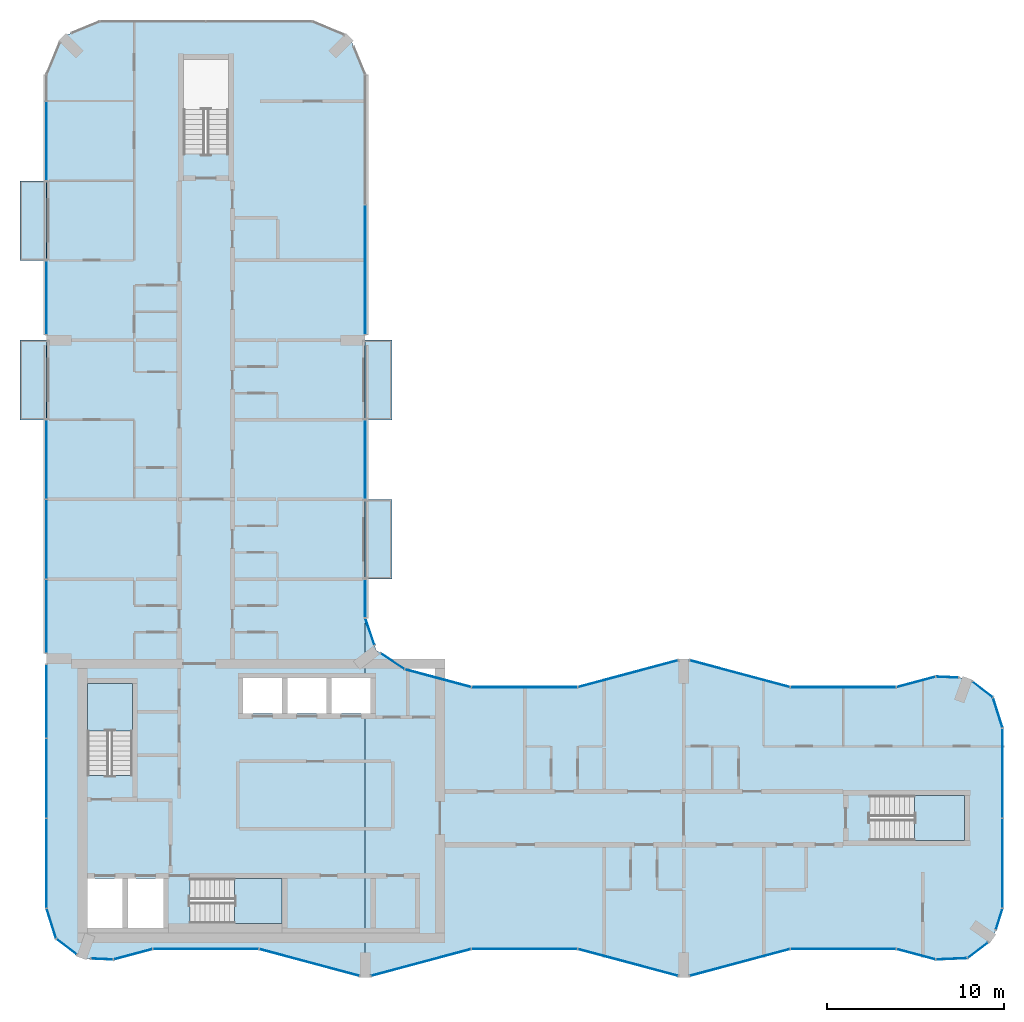
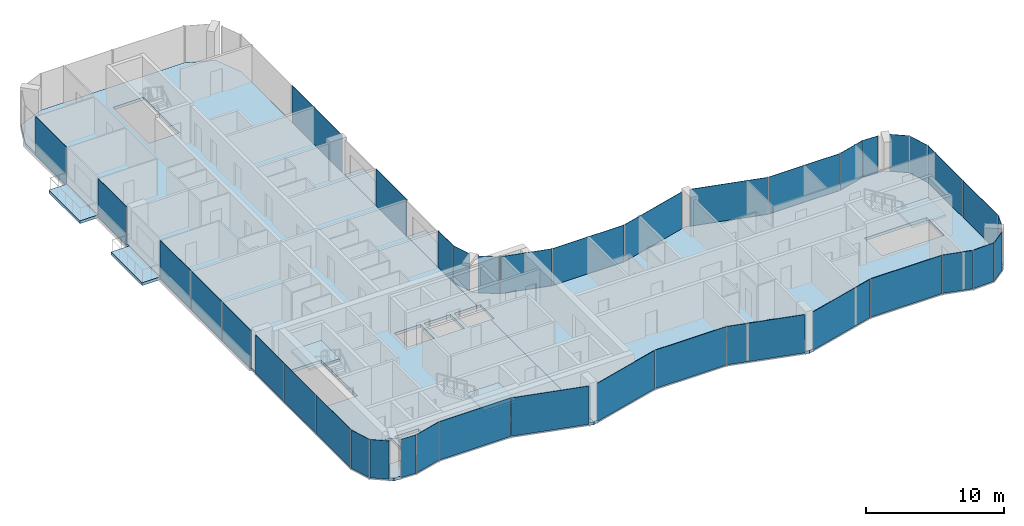
# One storey, part 8 of 15: 39 plates, 9 slabs, 37 elements without a shape of their own.
"""IFC4 building model written with IfcOpenShell, lengths in metres."""

from ifc_helpers import new_model, si_unit, direction, frame, origin, origin_2d, place, context, subcontext, project, spatial, polyline, rectangle, outline, extrude, material, layer, layer_set, type_object, element, aggregate, save


model = new_model("IFC4")

# Units and contexts
model_context = context("Model", 3, precision=1e-05, world=origin(), true_north=direction((0.0, 1.0)))
body_context = subcontext(model_context, "Body", "Model", "MODEL_VIEW")
ifc_project = project(units=[si_unit("LENGTHUNIT", "METRE"), si_unit("AREAUNIT", "SQUARE_METRE"), si_unit("VOLUMEUNIT", "CUBIC_METRE"), si_unit("PLANEANGLEUNIT", "RADIAN"), si_unit("MASSUNIT", "GRAM", prefix="KILO")], contexts=[model_context])

# Site, building, storey
site_placement = place(None, origin())
site = spatial("IfcSite", under=ifc_project, at=site_placement, CompositionType="ELEMENT")
building_placement = place(site_placement, origin())
building = spatial("IfcBuilding", under=site, at=building_placement, Name="Plateau Cross Towers", CompositionType="ELEMENT")
storey_placement = place(building_placement, frame((0.0, 0.0, 177.89990234375)))
storey = spatial("IfcBuildingStorey", under=building, at=storey_placement, Name="L46", CompositionType="ELEMENT", Elevation=177.89990234375)

# Slabs
ifc_material_1 = material(Name="Concrete C40/50", Category="concrete")
ifc_layer_1 = layer(ifc_material_1, 0.25)
ifc_layer_set_1 = layer_set([ifc_layer_1], Name="Concrete C40/50")
slab_type_1 = type_object("IfcSlabType", Name="Balcony slab 250", PredefinedType="FLOOR", material=ifc_layer_set_1)
slab_1_placement = place(storey_placement, frame((0.0, 0.0, -0.25)))
element("IfcSlab", 1, at=slab_1_placement, inside=storey, type_object=slab_type_1, Name="Balcony slab A-BAL-L46-01", PredefinedType="FLOOR", context=body_context, shape_type="SweptSolid", body=[
    extrude(outline(polyline([(0.0, 31.5), (0.0, 36.0), (-1.5, 36.0), (-1.5, 31.5), (0.0, 31.5)])), origin(), (0.0, 0.0, 1.0), 0.25),
])
slab_2_placement = place(storey_placement, frame((0.0, 0.0, -0.25)))
element("IfcSlab", 2, at=slab_2_placement, inside=storey, type_object=slab_type_1, Name="Balcony slab A-BAL-L46-02", PredefinedType="FLOOR", context=body_context, shape_type="SweptSolid", body=[
    extrude(outline(polyline([(0.0, 40.5), (0.0, 45.0), (-1.5, 45.0), (-1.5, 40.5), (0.0, 40.5)])), origin(), (0.0, 0.0, 1.0), 0.25),
])
slab_3_placement = place(storey_placement, frame((0.0, 0.0, -0.25)))
element("IfcSlab", 3, at=slab_3_placement, inside=storey, type_object=slab_type_1, Name="Balcony slab A-BAL-L46-03", PredefinedType="FLOOR", context=body_context, shape_type="SweptSolid", body=[
    extrude(outline(polyline([(19.5, 22.5), (19.5, 27.0), (18.0, 27.0), (18.0, 22.5), (19.5, 22.5)])), origin(), (0.0, 0.0, 1.0), 0.25),
])
slab_4_placement = place(storey_placement, frame((0.0, 0.0, -0.25)))
element("IfcSlab", 4, at=slab_4_placement, inside=storey, type_object=slab_type_1, Name="Balcony slab A-BAL-L46-04", PredefinedType="FLOOR", context=body_context, shape_type="SweptSolid", body=[
    extrude(outline(polyline([(19.5, 31.5), (19.5, 36.0), (18.0, 36.0), (18.0, 31.5), (19.5, 31.5)])), origin(), (0.0, 0.0, 1.0), 0.25),
])

# Curtain wall, plate
ifc_material_2 = material(Name="Dark low-iron glass", Category="glass")
ifc_layer_2 = layer(ifc_material_2, 0.239990234375)
ifc_layer_set_2 = layer_set([ifc_layer_2], Name="Dark low-iron glass")
curtain_wall_type_1 = type_object("IfcCurtainWallType", Name="Curtain wall flush unitised CW-B", PredefinedType="NOTDEFINED", material=ifc_layer_set_2)
curtain_wall_1_placement = place(storey_placement, origin())
curtain_wall_1 = element("IfcCurtainWall", 5, at=curtain_wall_1_placement, inside=storey, type_object=curtain_wall_type_1, Name="ENV/A/L46/A502_10", PredefinedType="NOTDEFINED")
ifc_layer_3 = layer(ifc_material_2, 0.031982421875)
ifc_layer_set_3 = layer_set([ifc_layer_3], Name="Dark low-iron glass")
plate_type_1 = type_object("IfcPlateType", Name="Glass panel 32 flush unitised", PredefinedType="CURTAIN_PANEL", material=ifc_layer_set_3)
plate_1_placement = place(storey_placement, frame((51.125, 1.05078125, -0.1298828125), z_axis=(0.0, 0.0, 1.0), x_axis=(0.999043701491, 0.043722791671, 0.0)))
plate_1 = element("IfcPlate", 6, at=plate_1_placement, type_object=plate_type_1, Name="CW-B panel 1", PredefinedType="CURTAIN_PANEL", context=body_context, shape_type="SweptSolid", body=[
    extrude(rectangle(XDim=1.744140625, YDim=0.031982421875, at=origin_2d()), origin(), (0.0, 0.0, 1.0), 3.3798828125),
])
aggregate(curtain_wall_1, [plate_1])

curtain_wall_2_placement = place(storey_placement, origin())
curtain_wall_2 = element("IfcCurtainWall", 7, at=curtain_wall_2_placement, inside=storey, type_object=curtain_wall_type_1, Name="ENV/A/L46/A520_11", PredefinedType="NOTDEFINED")
plate_2_placement = place(storey_placement, frame((52.60986328125, 1.5380859375, -0.1298828125), z_axis=(0.0, 0.0, 1.0), x_axis=(0.793315514529, 0.608810721331, 0.0)))
plate_2 = element("IfcPlate", 8, at=plate_2_placement, type_object=plate_type_1, Name="CW-B panel 1", PredefinedType="CURTAIN_PANEL", context=body_context, shape_type="SweptSolid", body=[
    extrude(rectangle(XDim=1.41162109375, YDim=0.031982421875, at=origin_2d()), origin(), (0.0, 0.0, 1.0), 3.3798828125),
])
aggregate(curtain_wall_2, [plate_2])

curtain_wall_3_placement = place(storey_placement, origin())
curtain_wall_3 = element("IfcCurtainWall", 9, at=curtain_wall_3_placement, inside=storey, type_object=curtain_wall_type_1, Name="ENV/A/L46/A536_27", PredefinedType="NOTDEFINED")
plate_3_placement = place(storey_placement, frame((53.805419921875, 3.292236328125, -0.1298828125), z_axis=(0.0, 0.0, 1.0), x_axis=(0.300686174994, 0.95372313811, 0.0)))
plate_3 = element("IfcPlate", 10, at=plate_3_placement, type_object=plate_type_1, Name="CW-B panel 1", PredefinedType="CURTAIN_PANEL", context=body_context, shape_type="SweptSolid", body=[
    extrude(rectangle(XDim=1.233642578125, YDim=0.031982421875, at=origin_2d()), origin(), (0.0, 0.0, 1.0), 3.3798828125),
])
aggregate(curtain_wall_3, [plate_3])

# Curtain wall, plates
curtain_wall_4_placement = place(storey_placement, origin())
curtain_wall_4 = element("IfcCurtainWall", 11, at=curtain_wall_4_placement, inside=storey, type_object=curtain_wall_type_1, Name="ENV/A/L46/A540_39", PredefinedType="NOTDEFINED")
plate_4_placement = place(storey_placement, frame((54.0, 6.45458984375, -0.1298828125), z_axis=(0.0, 0.0, 1.0), x_axis=(0.0, 1.0, 0.0)))
plate_4 = element("IfcPlate", 12, at=plate_4_placement, type_object=plate_type_1, Name="CW-B panel 1", PredefinedType="CURTAIN_PANEL", context=body_context, shape_type="SweptSolid", body=[
    extrude(rectangle(XDim=5.03076171875, YDim=0.031982421875, at=origin_2d()), origin(), (0.0, 0.0, 1.0), 3.3798828125),
])
plate_5_placement = place(storey_placement, frame((54.0, 11.54541015625, -0.1298828125), z_axis=(0.0, 0.0, 1.0), x_axis=(0.0, 1.0, 0.0)))
plate_5 = element("IfcPlate", 13, at=plate_5_placement, type_object=plate_type_1, Name="CW-B panel 2", PredefinedType="CURTAIN_PANEL", context=body_context, shape_type="SweptSolid", body=[
    extrude(rectangle(XDim=5.03076171875, YDim=0.031982421875, at=origin_2d()), origin(), (0.0, 0.0, 1.0), 3.3798828125),
])
aggregate(curtain_wall_4, [plate_4, plate_5])

# Curtain wall, plate
curtain_wall_5_placement = place(storey_placement, origin())
curtain_wall_5 = element("IfcCurtainWall", 14, at=curtain_wall_5_placement, inside=storey, type_object=curtain_wall_type_1, Name="ENV/A/L46/A540_141", PredefinedType="NOTDEFINED")
plate_6_placement = place(storey_placement, frame((53.728759765625, 14.951171875, -0.1298828125), z_axis=(0.0, 0.0, 1.0), x_axis=(-0.300686174994, 0.95372313811, 0.0)))
plate_6 = element("IfcPlate", 15, at=plate_6_placement, type_object=plate_type_1, Name="CW-B panel 1", PredefinedType="CURTAIN_PANEL", context=body_context, shape_type="SweptSolid", body=[
    extrude(rectangle(XDim=1.744140625, YDim=0.031982421875, at=origin_2d()), origin(), (0.0, 0.0, 1.0), 3.3798828125),
])
aggregate(curtain_wall_5, [plate_6])

curtain_wall_6_placement = place(storey_placement, origin())
curtain_wall_6 = element("IfcCurtainWall", 16, at=curtain_wall_6_placement, inside=storey, type_object=curtain_wall_type_1, Name="ENV/A/L46/A535_158", PredefinedType="NOTDEFINED")
plate_7_placement = place(storey_placement, frame((52.873779296875, 16.25927734375, -0.1298828125), z_axis=(0.0, 0.0, 1.0), x_axis=(-0.793315514529, 0.608810721331, 0.0)))
plate_7 = element("IfcPlate", 17, at=plate_7_placement, type_object=plate_type_1, Name="CW-B panel 1", PredefinedType="CURTAIN_PANEL", context=body_context, shape_type="SweptSolid", body=[
    extrude(rectangle(XDim=1.41162109375, YDim=0.031982421875, at=origin_2d()), origin(), (0.0, 0.0, 1.0), 3.3798828125),
])
aggregate(curtain_wall_6, [plate_7])

curtain_wall_7_placement = place(storey_placement, origin())
curtain_wall_7 = element("IfcCurtainWall", 18, at=curtain_wall_7_placement, inside=storey, type_object=curtain_wall_type_1, Name="ENV/A/L46/A515_169", PredefinedType="NOTDEFINED")
plate_8_placement = place(storey_placement, frame((50.8701171875, 16.96044921875, -0.1298828125), z_axis=(0.0, 0.0, 1.0), x_axis=(-0.999043701491, 0.043722791671, 0.0)))
plate_8 = element("IfcPlate", 19, at=plate_8_placement, type_object=plate_type_1, Name="CW-B panel 1", PredefinedType="CURTAIN_PANEL", context=body_context, shape_type="SweptSolid", body=[
    extrude(rectangle(XDim=1.233642578125, YDim=0.031982421875, at=origin_2d()), origin(), (0.0, 0.0, 1.0), 3.3798828125),
])
aggregate(curtain_wall_7, [plate_8])

curtain_wall_8_placement = place(storey_placement, origin())
curtain_wall_8 = element("IfcCurtainWall", 20, at=curtain_wall_8_placement, inside=storey, type_object=curtain_wall_type_1, Name="ENV/A/L46/A202_174", PredefinedType="NOTDEFINED")
plate_9_placement = place(storey_placement, frame((19.546630859375, 17.856689453125, -0.1298828125), z_axis=(0.0, 0.0, 1.0), x_axis=(-0.831521253329, 0.555492938984, 0.0)))
plate_9 = element("IfcPlate", 21, at=plate_9_placement, type_object=plate_type_1, Name="CW-B panel 1", PredefinedType="CURTAIN_PANEL", context=body_context, shape_type="SweptSolid", body=[
    extrude(rectangle(XDim=1.56884765625, YDim=0.031982421875, at=origin_2d()), origin(), (0.0, 0.0, 1.0), 3.3798828125),
])
aggregate(curtain_wall_8, [plate_9])

curtain_wall_9_placement = place(storey_placement, origin())
curtain_wall_9 = element("IfcCurtainWall", 22, at=curtain_wall_9_placement, inside=storey, type_object=curtain_wall_type_1, Name="ENV/A/L46/A185_188", PredefinedType="NOTDEFINED")
plate_10_placement = place(storey_placement, frame((18.26171875, 19.531005859375, -0.1298828125), z_axis=(0.0, 0.0, 1.0), x_axis=(-0.321469161574, 0.94692004845, 0.0)))
plate_10 = element("IfcPlate", 23, at=plate_10_placement, type_object=plate_type_1, Name="CW-B panel 1", PredefinedType="CURTAIN_PANEL", context=body_context, shape_type="SweptSolid", body=[
    extrude(rectangle(XDim=1.56884765625, YDim=0.031982421875, at=origin_2d()), origin(), (0.0, 0.0, 1.0), 3.3798828125),
])
aggregate(curtain_wall_9, [plate_10])

curtain_wall_10_placement = place(storey_placement, origin())
curtain_wall_10 = element("IfcCurtainWall", 24, at=curtain_wall_10_placement, inside=storey, type_object=curtain_wall_type_1, Name="ENV/A/L46/A180_203", PredefinedType="NOTDEFINED")
plate_11_placement = place(storey_placement, frame((18.0, 21.396240234375, -0.1298828125), z_axis=(0.0, 0.0, 1.0), x_axis=(0.0, 1.0, 0.0)))
plate_11 = element("IfcPlate", 25, at=plate_11_placement, type_object=plate_type_1, Name="CW-B panel 1", PredefinedType="CURTAIN_PANEL", context=body_context, shape_type="SweptSolid", body=[
    extrude(rectangle(XDim=2.127685546875, YDim=0.031982421875, at=origin_2d()), origin(), (0.0, 0.0, 1.0), 3.3798828125),
])
aggregate(curtain_wall_10, [plate_11])

curtain_wall_11_placement = place(storey_placement, origin())
curtain_wall_11 = element("IfcCurtainWall", 26, at=curtain_wall_11_placement, inside=storey, type_object=curtain_wall_type_1, Name="ENV/A/L46/A180_270", PredefinedType="NOTDEFINED")
plate_12_placement = place(storey_placement, frame((18.0, 29.25, -0.1298828125), z_axis=(0.0, 0.0, 1.0), x_axis=(0.0, 1.0, 0.0)))
plate_12 = element("IfcPlate", 27, at=plate_12_placement, type_object=plate_type_1, Name="CW-B panel 1", PredefinedType="CURTAIN_PANEL", context=body_context, shape_type="SweptSolid", body=[
    extrude(rectangle(XDim=4.419921875, YDim=0.031982421875, at=origin_2d()), origin(), (0.0, 0.0, 1.0), 3.3798828125),
])
aggregate(curtain_wall_11, [plate_12])

curtain_wall_12_placement = place(storey_placement, origin())
curtain_wall_12 = element("IfcCurtainWall", 28, at=curtain_wall_12_placement, inside=storey, type_object=curtain_wall_type_1, Name="ENV/A/L46/A180_363", PredefinedType="NOTDEFINED")
plate_13_placement = place(storey_placement, frame((18.0, 39.97509765625, -0.1298828125), z_axis=(0.0, 0.0, 1.0), x_axis=(0.0, 1.0, 0.0)))
plate_13 = element("IfcPlate", 29, at=plate_13_placement, type_object=plate_type_1, Name="CW-B panel 1", PredefinedType="CURTAIN_PANEL", context=body_context, shape_type="SweptSolid", body=[
    extrude(rectangle(XDim=7.2900390625, YDim=0.031982421875, at=origin_2d()), origin(), (0.0, 0.0, 1.0), 3.3798828125),
])
aggregate(curtain_wall_12, [plate_13])

curtain_wall_13_placement = place(storey_placement, origin())
curtain_wall_13 = element("IfcCurtainWall", 30, at=curtain_wall_13_placement, inside=storey, type_object=curtain_wall_type_1, Name="ENV/A/L46/A0_510", PredefinedType="NOTDEFINED")
plate_14_placement = place(storey_placement, frame((0.0, 47.2548828125, -0.1298828125), z_axis=(0.0, 0.0, 1.0), x_axis=(0.0, -1.0, 0.0)))
plate_14 = element("IfcPlate", 31, at=plate_14_placement, type_object=plate_type_1, Name="CW-B panel 2", PredefinedType="CURTAIN_PANEL", context=body_context, shape_type="SweptSolid", body=[
    extrude(rectangle(XDim=4.429931640625, YDim=0.031982421875, at=origin_2d()), origin(), (0.0, 0.0, 1.0), 3.3798828125),
])
aggregate(curtain_wall_13, [plate_14])

curtain_wall_14_placement = place(storey_placement, origin())
curtain_wall_14 = element("IfcCurtainWall", 32, at=curtain_wall_14_placement, inside=storey, type_object=curtain_wall_type_1, Name="ENV/A/L46/A0_405", PredefinedType="NOTDEFINED")
plate_15_placement = place(storey_placement, frame((0.0, 38.39501953125, -0.1298828125), z_axis=(0.0, 0.0, 1.0), x_axis=(0.0, -1.0, 0.0)))
plate_15 = element("IfcPlate", 33, at=plate_15_placement, type_object=plate_type_1, Name="CW-B panel 1", PredefinedType="CURTAIN_PANEL", context=body_context, shape_type="SweptSolid", body=[
    extrude(rectangle(XDim=4.1298828125, YDim=0.031982421875, at=origin_2d()), origin(), (0.0, 0.0, 1.0), 3.3798828125),
])
aggregate(curtain_wall_14, [plate_15])

# Curtain wall, plates
curtain_wall_15_placement = place(storey_placement, origin())
curtain_wall_15 = element("IfcCurtainWall", 34, at=curtain_wall_15_placement, inside=storey, type_object=curtain_wall_type_1, Name="ENV/A/L46/A0_315", PredefinedType="NOTDEFINED")
plate_16_placement = place(storey_placement, frame((0.0, 29.2451171875, -0.1298828125), z_axis=(0.0, 0.0, 1.0), x_axis=(0.0, -1.0, 0.0)))
plate_16 = element("IfcPlate", 35, at=plate_16_placement, type_object=plate_type_1, Name="CW-B panel 1", PredefinedType="CURTAIN_PANEL", context=body_context, shape_type="SweptSolid", body=[
    extrude(rectangle(XDim=4.429931640625, YDim=0.031982421875, at=origin_2d()), origin(), (0.0, 0.0, 1.0), 3.3798828125),
])
plate_17_placement = place(storey_placement, frame((0.0, 24.75, -0.1298828125), z_axis=(0.0, 0.0, 1.0), x_axis=(0.0, -1.0, 0.0)))
plate_17 = element("IfcPlate", 36, at=plate_17_placement, type_object=plate_type_1, Name="CW-B panel 2", PredefinedType="CURTAIN_PANEL", context=body_context, shape_type="SweptSolid", body=[
    extrude(rectangle(XDim=4.43994140625, YDim=0.031982421875, at=origin_2d()), origin(), (0.0, 0.0, 1.0), 3.3798828125),
])
plate_18_placement = place(storey_placement, frame((0.0, 20.39990234375, -0.1298828125), z_axis=(0.0, 0.0, 1.0), x_axis=(0.0, -1.0, 0.0)))
plate_18 = element("IfcPlate", 37, at=plate_18_placement, type_object=plate_type_1, Name="CW-B panel 3", PredefinedType="CURTAIN_PANEL", context=body_context, shape_type="SweptSolid", body=[
    extrude(rectangle(XDim=4.139892578125, YDim=0.031982421875, at=origin_2d()), origin(), (0.0, 0.0, 1.0), 3.3798828125),
])
aggregate(curtain_wall_15, [plate_16, plate_17, plate_18])

curtain_wall_16_placement = place(storey_placement, origin())
curtain_wall_16 = element("IfcCurtainWall", 38, at=curtain_wall_16_placement, inside=storey, type_object=curtain_wall_type_1, Name="ENV/A/L46/A0_177", PredefinedType="NOTDEFINED")
plate_19_placement = place(storey_placement, frame((0.0, 15.60009765625, -0.1298828125), z_axis=(0.0, 0.0, 1.0), x_axis=(0.0, -1.0, 0.0)))
plate_19 = element("IfcPlate", 39, at=plate_19_placement, type_object=plate_type_1, Name="CW-B panel 1", PredefinedType="CURTAIN_PANEL", context=body_context, shape_type="SweptSolid", body=[
    extrude(rectangle(XDim=4.139892578125, YDim=0.031982421875, at=origin_2d()), origin(), (0.0, 0.0, 1.0), 3.3798828125),
])
plate_20_placement = place(storey_placement, frame((0.0, 11.25, -0.1298828125), z_axis=(0.0, 0.0, 1.0), x_axis=(0.0, -1.0, 0.0)))
plate_20 = element("IfcPlate", 40, at=plate_20_placement, type_object=plate_type_1, Name="CW-B panel 2", PredefinedType="CURTAIN_PANEL", context=body_context, shape_type="SweptSolid", body=[
    extrude(rectangle(XDim=4.43994140625, YDim=0.031982421875, at=origin_2d()), origin(), (0.0, 0.0, 1.0), 3.3798828125),
])
plate_21_placement = place(storey_placement, frame((0.0, 6.45458984375, -0.1298828125), z_axis=(0.0, 0.0, 1.0), x_axis=(0.0, -1.0, 0.0)))
plate_21 = element("IfcPlate", 41, at=plate_21_placement, type_object=plate_type_1, Name="CW-B panel 3", PredefinedType="CURTAIN_PANEL", context=body_context, shape_type="SweptSolid", body=[
    extrude(rectangle(XDim=5.03076171875, YDim=0.031982421875, at=origin_2d()), origin(), (0.0, 0.0, 1.0), 3.3798828125),
])
aggregate(curtain_wall_16, [plate_19, plate_20, plate_21])

# Curtain wall, plate
curtain_wall_17_placement = place(storey_placement, origin())
curtain_wall_17 = element("IfcCurtainWall", 42, at=curtain_wall_17_placement, inside=storey, type_object=curtain_wall_type_1, Name="ENV/A/L46/A0_39", PredefinedType="NOTDEFINED")
plate_22_placement = place(storey_placement, frame((0.271240234375, 3.048828125, -0.1298828125), z_axis=(0.0, 0.0, 1.0), x_axis=(0.300686174994, -0.95372313811, 0.0)))
plate_22 = element("IfcPlate", 43, at=plate_22_placement, type_object=plate_type_1, Name="CW-B panel 1", PredefinedType="CURTAIN_PANEL", context=body_context, shape_type="SweptSolid", body=[
    extrude(rectangle(XDim=1.744140625, YDim=0.031982421875, at=origin_2d()), origin(), (0.0, 0.0, 1.0), 3.3798828125),
])
aggregate(curtain_wall_17, [plate_22])

curtain_wall_18_placement = place(storey_placement, origin())
curtain_wall_18 = element("IfcCurtainWall", 44, at=curtain_wall_18_placement, inside=storey, type_object=curtain_wall_type_1, Name="ENV/A/L46/A5_22", PredefinedType="NOTDEFINED")
plate_23_placement = place(storey_placement, frame((1.126220703125, 1.74072265625, -0.1298828125), z_axis=(0.0, 0.0, 1.0), x_axis=(0.793315514529, -0.608810721331, 0.0)))
plate_23 = element("IfcPlate", 45, at=plate_23_placement, type_object=plate_type_1, Name="CW-B panel 1", PredefinedType="CURTAIN_PANEL", context=body_context, shape_type="SweptSolid", body=[
    extrude(rectangle(XDim=1.41162109375, YDim=0.031982421875, at=origin_2d()), origin(), (0.0, 0.0, 1.0), 3.3798828125),
])
aggregate(curtain_wall_18, [plate_23])

curtain_wall_19_placement = place(storey_placement, origin())
curtain_wall_19 = element("IfcCurtainWall", 46, at=curtain_wall_19_placement, inside=storey, type_object=curtain_wall_type_1, Name="ENV/A/L46/A25_11", PredefinedType="NOTDEFINED")
plate_24_placement = place(storey_placement, frame((3.1298828125, 1.03955078125, -0.1298828125), z_axis=(0.0, 0.0, 1.0), x_axis=(0.999043701491, -0.043722791671, 0.0)))
plate_24 = element("IfcPlate", 47, at=plate_24_placement, type_object=plate_type_1, Name="CW-B panel 1", PredefinedType="CURTAIN_PANEL", context=body_context, shape_type="SweptSolid", body=[
    extrude(rectangle(XDim=1.233642578125, YDim=0.031982421875, at=origin_2d()), origin(), (0.0, 0.0, 1.0), 3.3798828125),
])
aggregate(curtain_wall_19, [plate_24])

ifc_layer_4 = layer(ifc_material_2, 0.260009765625)
ifc_layer_set_4 = layer_set([ifc_layer_4], Name="Dark low-iron glass")
curtain_wall_type_2 = type_object("IfcCurtainWallType", Name="Curtain wall fluted unitised CW-A", PredefinedType="NOTDEFINED", material=ifc_layer_set_4)
curtain_wall_20_placement = place(storey_placement, origin())
curtain_wall_20 = element("IfcCurtainWall", 48, at=curtain_wall_20_placement, inside=storey, type_object=curtain_wall_type_2, Name="ENV/A/L46/A38_10", PredefinedType="NOTDEFINED")
ifc_layer_5 = layer(ifc_material_2, 0.035888671875)
ifc_layer_set_5 = layer_set([ifc_layer_5], Name="Dark low-iron glass")
plate_type_2 = type_object("IfcPlateType", Name="Glass panel 36 fluted unitised", PredefinedType="CURTAIN_PANEL", material=ifc_layer_set_5)
plate_25_placement = place(storey_placement, frame((4.887939453125, 1.30908203125, -0.1298828125), z_axis=(0.0, 0.0, 1.0), x_axis=(0.965957962328, 0.258699081978, 0.0)))
plate_25 = element("IfcPlate", 49, at=plate_25_placement, type_object=plate_type_2, Name="CW-A panel 1", PredefinedType="CURTAIN_PANEL", context=body_context, shape_type="SweptSolid", body=[
    extrude(rectangle(XDim=2.2421875, YDim=0.035888671875, at=origin_2d()), origin(), (0.0, 0.0, 1.0), 3.3798828125),
])
aggregate(curtain_wall_20, [plate_25])

curtain_wall_21_placement = place(storey_placement, origin())
curtain_wall_21 = element("IfcCurtainWall", 50, at=curtain_wall_21_placement, inside=storey, type_object=curtain_wall_type_2, Name="ENV/A/L46/A60_16", PredefinedType="NOTDEFINED")
plate_26_placement = place(storey_placement, frame((9.0, 1.60693359375, -0.1298828125), z_axis=(0.0, 0.0, 1.0), x_axis=(1.0, 0.0, 0.0)))
plate_26 = element("IfcPlate", 51, at=plate_26_placement, type_object=plate_type_2, Name="CW-A panel 1", PredefinedType="CURTAIN_PANEL", context=body_context, shape_type="SweptSolid", body=[
    extrude(rectangle(XDim=5.93994140625, YDim=0.035888671875, at=origin_2d()), origin(), (0.0, 0.0, 1.0), 3.3798828125),
])
aggregate(curtain_wall_21, [plate_26])

curtain_wall_22_placement = place(storey_placement, origin())
curtain_wall_22 = element("IfcCurtainWall", 52, at=curtain_wall_22_placement, inside=storey, type_object=curtain_wall_type_2, Name="ENV/A/L46/A120_16", PredefinedType="NOTDEFINED")
plate_27_placement = place(storey_placement, frame((14.841064453125, 0.845947265625, -0.1298828125), z_axis=(0.0, 0.0, 1.0), x_axis=(0.965957983404, -0.258699003279, 0.0)))
plate_27 = element("IfcPlate", 53, at=plate_27_placement, type_object=plate_type_2, Name="CW-A panel 1", PredefinedType="CURTAIN_PANEL", context=body_context, shape_type="SweptSolid", body=[
    extrude(rectangle(XDim=5.822265625, YDim=0.035888671875, at=origin_2d()), origin(), (0.0, 0.0, 1.0), 3.3798828125),
])
aggregate(curtain_wall_22, [plate_27])

curtain_wall_23_placement = place(storey_placement, origin())
curtain_wall_23 = element("IfcCurtainWall", 54, at=curtain_wall_23_placement, inside=storey, type_object=curtain_wall_type_2, Name="ENV/A/L46/A183_1", PredefinedType="NOTDEFINED")
plate_28_placement = place(storey_placement, frame((21.158935546875, 0.845947265625, -0.1298828125), z_axis=(0.0, 0.0, 1.0), x_axis=(0.965957983404, 0.258699003279, 0.0)))
plate_28 = element("IfcPlate", 55, at=plate_28_placement, type_object=plate_type_2, Name="CW-A panel 1", PredefinedType="CURTAIN_PANEL", context=body_context, shape_type="SweptSolid", body=[
    extrude(rectangle(XDim=5.822265625, YDim=0.035888671875, at=origin_2d()), origin(), (0.0, 0.0, 1.0), 3.3798828125),
])
aggregate(curtain_wall_23, [plate_28])

curtain_wall_24_placement = place(storey_placement, origin())
curtain_wall_24 = element("IfcCurtainWall", 56, at=curtain_wall_24_placement, inside=storey, type_object=curtain_wall_type_2, Name="ENV/A/L46/A240_16", PredefinedType="NOTDEFINED")
plate_29_placement = place(storey_placement, frame((27.0, 1.60693359375, -0.1298828125), z_axis=(0.0, 0.0, 1.0), x_axis=(1.0, 0.0, 0.0)))
plate_29 = element("IfcPlate", 57, at=plate_29_placement, type_object=plate_type_2, Name="CW-A panel 1", PredefinedType="CURTAIN_PANEL", context=body_context, shape_type="SweptSolid", body=[
    extrude(rectangle(XDim=5.93994140625, YDim=0.035888671875, at=origin_2d()), origin(), (0.0, 0.0, 1.0), 3.3798828125),
])
aggregate(curtain_wall_24, [plate_29])

curtain_wall_25_placement = place(storey_placement, origin())
curtain_wall_25 = element("IfcCurtainWall", 58, at=curtain_wall_25_placement, inside=storey, type_object=curtain_wall_type_2, Name="ENV/A/L46/A300_16", PredefinedType="NOTDEFINED")
plate_30_placement = place(storey_placement, frame((32.841064453125, 0.845947265625, -0.1298828125), z_axis=(0.0, 0.0, 1.0), x_axis=(0.965957983404, -0.258699003279, 0.0)))
plate_30 = element("IfcPlate", 59, at=plate_30_placement, type_object=plate_type_2, Name="CW-A panel 1", PredefinedType="CURTAIN_PANEL", context=body_context, shape_type="SweptSolid", body=[
    extrude(rectangle(XDim=5.822265625, YDim=0.035888671875, at=origin_2d()), origin(), (0.0, 0.0, 1.0), 3.3798828125),
])
aggregate(curtain_wall_25, [plate_30])

curtain_wall_26_placement = place(storey_placement, origin())
curtain_wall_26 = element("IfcCurtainWall", 60, at=curtain_wall_26_placement, inside=storey, type_object=curtain_wall_type_2, Name="ENV/A/L46/A363_1", PredefinedType="NOTDEFINED")
plate_31_placement = place(storey_placement, frame((39.158935546875, 0.845947265625, -0.1298828125), z_axis=(0.0, 0.0, 1.0), x_axis=(0.965957983404, 0.258699003279, 0.0)))
plate_31 = element("IfcPlate", 61, at=plate_31_placement, type_object=plate_type_2, Name="CW-A panel 1", PredefinedType="CURTAIN_PANEL", context=body_context, shape_type="SweptSolid", body=[
    extrude(rectangle(XDim=5.822265625, YDim=0.035888671875, at=origin_2d()), origin(), (0.0, 0.0, 1.0), 3.3798828125),
])
aggregate(curtain_wall_26, [plate_31])

curtain_wall_27_placement = place(storey_placement, origin())
curtain_wall_27 = element("IfcCurtainWall", 62, at=curtain_wall_27_placement, inside=storey, type_object=curtain_wall_type_2, Name="ENV/A/L46/A420_16", PredefinedType="NOTDEFINED")
plate_32_placement = place(storey_placement, frame((45.0, 1.60693359375, -0.1298828125), z_axis=(0.0, 0.0, 1.0), x_axis=(1.0, 0.0, 0.0)))
plate_32 = element("IfcPlate", 63, at=plate_32_placement, type_object=plate_type_2, Name="CW-A panel 1", PredefinedType="CURTAIN_PANEL", context=body_context, shape_type="SweptSolid", body=[
    extrude(rectangle(XDim=5.93994140625, YDim=0.035888671875, at=origin_2d()), origin(), (0.0, 0.0, 1.0), 3.3798828125),
])
aggregate(curtain_wall_27, [plate_32])

curtain_wall_28_placement = place(storey_placement, origin())
curtain_wall_28 = element("IfcCurtainWall", 64, at=curtain_wall_28_placement, inside=storey, type_object=curtain_wall_type_2, Name="ENV/A/L46/A480_16", PredefinedType="NOTDEFINED")
plate_33_placement = place(storey_placement, frame((49.112060546875, 1.30908203125, -0.1298828125), z_axis=(0.0, 0.0, 1.0), x_axis=(0.965957962328, -0.258699081978, 0.0)))
plate_33 = element("IfcPlate", 65, at=plate_33_placement, type_object=plate_type_2, Name="CW-A panel 1", PredefinedType="CURTAIN_PANEL", context=body_context, shape_type="SweptSolid", body=[
    extrude(rectangle(XDim=2.2421875, YDim=0.035888671875, at=origin_2d()), origin(), (0.0, 0.0, 1.0), 3.3798828125),
])
aggregate(curtain_wall_28, [plate_33])

curtain_wall_29_placement = place(storey_placement, origin())
curtain_wall_29 = element("IfcCurtainWall", 66, at=curtain_wall_29_placement, inside=storey, type_object=curtain_wall_type_2, Name="ENV/A/L46/A502_170", PredefinedType="NOTDEFINED")
plate_34_placement = place(storey_placement, frame((49.112060546875, 16.69091796875, -0.1298828125), z_axis=(0.0, 0.0, 1.0), x_axis=(-0.965957962328, -0.258699081978, 0.0)))
plate_34 = element("IfcPlate", 67, at=plate_34_placement, type_object=plate_type_2, Name="CW-A panel 1", PredefinedType="CURTAIN_PANEL", context=body_context, shape_type="SweptSolid", body=[
    extrude(rectangle(XDim=2.2421875, YDim=0.035888671875, at=origin_2d()), origin(), (0.0, 0.0, 1.0), 3.3798828125),
])
aggregate(curtain_wall_29, [plate_34])

curtain_wall_30_placement = place(storey_placement, origin())
curtain_wall_30 = element("IfcCurtainWall", 68, at=curtain_wall_30_placement, inside=storey, type_object=curtain_wall_type_2, Name="ENV/A/L46/A480_164", PredefinedType="NOTDEFINED")
plate_35_placement = place(storey_placement, frame((45.0, 16.39306640625, -0.1298828125), z_axis=(0.0, 0.0, 1.0), x_axis=(-1.0, 0.0, 0.0)))
plate_35 = element("IfcPlate", 69, at=plate_35_placement, type_object=plate_type_2, Name="CW-A panel 1", PredefinedType="CURTAIN_PANEL", context=body_context, shape_type="SweptSolid", body=[
    extrude(rectangle(XDim=5.93994140625, YDim=0.035888671875, at=origin_2d()), origin(), (0.0, 0.0, 1.0), 3.3798828125),
])
aggregate(curtain_wall_30, [plate_35])

curtain_wall_31_placement = place(storey_placement, origin())
curtain_wall_31 = element("IfcCurtainWall", 70, at=curtain_wall_31_placement, inside=storey, type_object=curtain_wall_type_2, Name="ENV/A/L46/A420_164", PredefinedType="NOTDEFINED")
plate_36_placement = place(storey_placement, frame((39.158935546875, 17.154052734375, -0.1298828125), z_axis=(0.0, 0.0, 1.0), x_axis=(-0.965957983404, 0.258699003279, 0.0)))
plate_36 = element("IfcPlate", 71, at=plate_36_placement, type_object=plate_type_2, Name="CW-A panel 1", PredefinedType="CURTAIN_PANEL", context=body_context, shape_type="SweptSolid", body=[
    extrude(rectangle(XDim=5.822265625, YDim=0.035888671875, at=origin_2d()), origin(), (0.0, 0.0, 1.0), 3.3798828125),
])
aggregate(curtain_wall_31, [plate_36])

curtain_wall_32_placement = place(storey_placement, origin())
curtain_wall_32 = element("IfcCurtainWall", 72, at=curtain_wall_32_placement, inside=storey, type_object=curtain_wall_type_2, Name="ENV/A/L46/A357_179", PredefinedType="NOTDEFINED")
plate_37_placement = place(storey_placement, frame((32.841064453125, 17.154052734375, -0.1298828125), z_axis=(0.0, 0.0, 1.0), x_axis=(-0.965957983404, -0.258699003279, 0.0)))
plate_37 = element("IfcPlate", 73, at=plate_37_placement, type_object=plate_type_2, Name="CW-A panel 1", PredefinedType="CURTAIN_PANEL", context=body_context, shape_type="SweptSolid", body=[
    extrude(rectangle(XDim=5.822265625, YDim=0.035888671875, at=origin_2d()), origin(), (0.0, 0.0, 1.0), 3.3798828125),
])
aggregate(curtain_wall_32, [plate_37])

curtain_wall_33_placement = place(storey_placement, origin())
curtain_wall_33 = element("IfcCurtainWall", 74, at=curtain_wall_33_placement, inside=storey, type_object=curtain_wall_type_2, Name="ENV/A/L46/A300_164", PredefinedType="NOTDEFINED")
plate_38_placement = place(storey_placement, frame((27.0, 16.39306640625, -0.1298828125), z_axis=(0.0, 0.0, 1.0), x_axis=(-1.0, 0.0, 0.0)))
plate_38 = element("IfcPlate", 75, at=plate_38_placement, type_object=plate_type_2, Name="CW-A panel 1", PredefinedType="CURTAIN_PANEL", context=body_context, shape_type="SweptSolid", body=[
    extrude(rectangle(XDim=5.93994140625, YDim=0.035888671875, at=origin_2d()), origin(), (0.0, 0.0, 1.0), 3.3798828125),
])
aggregate(curtain_wall_33, [plate_38])

curtain_wall_34_placement = place(storey_placement, origin())
curtain_wall_34 = element("IfcCurtainWall", 76, at=curtain_wall_34_placement, inside=storey, type_object=curtain_wall_type_2, Name="ENV/A/L46/A240_164", PredefinedType="NOTDEFINED")
plate_39_placement = place(storey_placement, frame((22.112060546875, 16.898681640625, -0.1298828125), z_axis=(0.0, 0.0, 1.0), x_axis=(-0.965957995816, 0.258698956933, 0.0)))
plate_39 = element("IfcPlate", 77, at=plate_39_placement, type_object=plate_type_2, Name="CW-A panel 1", PredefinedType="CURTAIN_PANEL", context=body_context, shape_type="SweptSolid", body=[
    extrude(rectangle(XDim=3.84912109375, YDim=0.035888671875, at=origin_2d()), origin(), (0.0, 0.0, 1.0), 3.3798828125),
])
aggregate(curtain_wall_34, [plate_39])

# Slabs
ifc_layer_6 = layer(ifc_material_1, 0.25)
ifc_layer_set_6 = layer_set([ifc_layer_6], Name="Concrete C40/50")
slab_type_2 = type_object("IfcSlabType", Name="Post-tensioned flat plate slab 250", PredefinedType="FLOOR", material=ifc_layer_set_6)
slab_5_placement = place(storey_placement, frame((0.0, 0.0, -0.25)))
element("IfcSlab", 78, at=slab_5_placement, inside=storey, type_object=slab_type_2, Name="SL-A-L46 1", PredefinedType="FLOOR", context=body_context, shape_type="SweptSolid", body=[
    extrude(outline(polyline([(0.54248046875, 2.1884765625), (0.0, 3.9091796875), (0.0, 51.0), (0.878662109375, 53.121337890625), (3.0, 54.0), (15.0, 54.0), (17.121337890625, 53.121337890625), (18.0, 51.0), (18.0, 20.30224609375), (18.0, 16.89990234375), (16.10009765625, 16.89990234375), (16.10009765625, 14.89990234375), (18.0, 14.89990234375), (18.0, 0.0), (12.0, 1.60693359375), (6.0, 1.60693359375), (3.776123046875, 1.01123046875), (1.9736328125, 1.090087890625), (0.54248046875, 2.1884765625)]), holes=[polyline([(2.300048828125, 5.60009765625), (2.300048828125, 2.800048828125), (4.300048828125, 2.800048828125), (4.300048828125, 5.60009765625), (2.300048828125, 5.60009765625)]), polyline([(4.60009765625, 5.60009765625), (4.60009765625, 2.800048828125), (6.60009765625, 2.800048828125), (6.60009765625, 5.60009765625), (4.60009765625, 5.60009765625)]), polyline([(8.10009765625, 5.60009765625), (8.10009765625, 3.050048828125), (13.300048828125, 3.050048828125), (13.300048828125, 5.60009765625), (8.10009765625, 5.60009765625)]), polyline([(2.300048828125, 11.39990234375), (4.85009765625, 11.39990234375), (4.85009765625, 16.60009765625), (2.300048828125, 16.60009765625), (2.300048828125, 11.39990234375)]), polyline([(11.10009765625, 16.89990234375), (11.10009765625, 14.89990234375), (13.300048828125, 14.89990234375), (13.300048828125, 16.89990234375), (11.10009765625, 16.89990234375)]), polyline([(13.60009765625, 16.89990234375), (13.60009765625, 14.89990234375), (15.800048828125, 14.89990234375), (15.800048828125, 16.89990234375), (13.60009765625, 16.89990234375)]), polyline([(7.72509765625, 51.699951171875), (7.72509765625, 46.5), (10.27490234375, 46.5), (10.27490234375, 51.699951171875), (7.72509765625, 51.699951171875)])]), origin(), (0.0, 0.0, 1.0), 0.25),
])
slab_6_placement = place(storey_placement, frame((0.0, 0.0, -0.25)))
element("IfcSlab", 79, at=slab_6_placement, inside=storey, type_object=slab_type_2, Name="SL-A-L46 2", PredefinedType="FLOOR", context=body_context, shape_type="SweptSolid", body=[
    extrude(outline(polyline([(18.6201171875, 18.475830078125), (20.223876953125, 17.404296875), (24.0, 16.39306640625), (30.0, 16.39306640625), (36.0, 18.0), (42.0, 16.39306640625), (48.0, 16.39306640625), (50.223876953125, 16.98876953125), (52.0263671875, 16.909912109375), (53.45751953125, 15.8115234375), (54.0, 14.0908203125), (54.0, 3.9091796875), (53.45751953125, 2.1884765625), (52.0263671875, 1.090087890625), (50.223876953125, 1.01123046875), (48.0, 1.60693359375), (42.0, 1.60693359375), (36.0, 0.0), (30.0, 1.60693359375), (24.0, 1.60693359375), (18.0, 0.0), (18.0, 14.89990234375), (18.300048828125, 14.89990234375), (18.300048828125, 16.89990234375), (18.0, 16.89990234375), (18.0, 20.30224609375), (18.6201171875, 18.475830078125)]), holes=[polyline([(46.5, 10.27490234375), (46.5, 7.72509765625), (51.699951171875, 7.72509765625), (51.699951171875, 10.27490234375), (46.5, 10.27490234375)])]), origin(), (0.0, 0.0, 1.0), 0.25),
])

# Stair, slab
stair_type = type_object("IfcStairType", Name="ST-TWR", PredefinedType="HALF_TURN_STAIR", material=ifc_material_1)
stair_1_placement = place(storey_placement, origin())
stair_1 = element("IfcStair", 80, at=stair_1_placement, inside=storey, type_object=stair_type, Name="L46 Protected Exit Stair ST-1", PredefinedType="HALF_TURN_STAIR")
ifc_layer_7 = layer(ifc_material_1, 0.199951171875)
ifc_layer_set_7 = layer_set([ifc_layer_7], Name="Concrete C40/50")
slab_type_3 = type_object("IfcSlabType", Name="SL-LANDING", PredefinedType="LANDING", material=ifc_layer_set_7)
slab_7_placement = place(storey_placement, frame((0.0, 0.0, 1.550048828125)))
slab_7 = element("IfcSlab", 81, at=slab_7_placement, type_object=slab_type_3, Name="ST-1 landing 1", PredefinedType="LANDING", context=body_context, shape_type="SweptSolid", body=[
    extrude(outline(polyline([(4.85009765625, 13.919921875), (4.85009765625, 16.60009765625), (2.300048828125, 16.60009765625), (2.300048828125, 13.919921875), (4.85009765625, 13.919921875)])), origin(), (0.0, 0.0, 1.0), 0.199951171875),
])
aggregate(stair_1, [slab_7])

stair_2_placement = place(storey_placement, origin())
stair_2 = element("IfcStair", 82, at=stair_2_placement, inside=storey, type_object=stair_type, Name="L46 Protected Exit Stair ST-2", PredefinedType="HALF_TURN_STAIR")
slab_8_placement = place(storey_placement, frame((0.0, 0.0, 1.550048828125)))
slab_8 = element("IfcSlab", 83, at=slab_8_placement, type_object=slab_type_3, Name="ST-2 landing 1", PredefinedType="LANDING", context=body_context, shape_type="SweptSolid", body=[
    extrude(outline(polyline([(10.6201171875, 3.050048828125), (13.300048828125, 3.050048828125), (13.300048828125, 5.60009765625), (10.6201171875, 5.60009765625), (10.6201171875, 3.050048828125)])), origin(), (0.0, 0.0, 1.0), 0.199951171875),
])
aggregate(stair_2, [slab_8])

stair_3_placement = place(storey_placement, origin())
stair_3 = element("IfcStair", 84, at=stair_3_placement, inside=storey, type_object=stair_type, Name="L46 Protected Exit Stair E", PredefinedType="HALF_TURN_STAIR")
slab_9_placement = place(storey_placement, frame((0.0, 0.0, 1.550048828125)))
slab_9 = element("IfcSlab", 85, at=slab_9_placement, type_object=slab_type_3, Name="ES-E landing 1", PredefinedType="LANDING", context=body_context, shape_type="SweptSolid", body=[
    extrude(outline(polyline([(49.02001953125, 7.72509765625), (51.85009765625, 7.72509765625), (51.85009765625, 10.27490234375), (49.02001953125, 10.27490234375), (49.02001953125, 7.72509765625)])), origin(), (0.0, 0.0, 1.0), 0.199951171875),
])
aggregate(stair_3, [slab_9])

save(model, "model.ifc")
